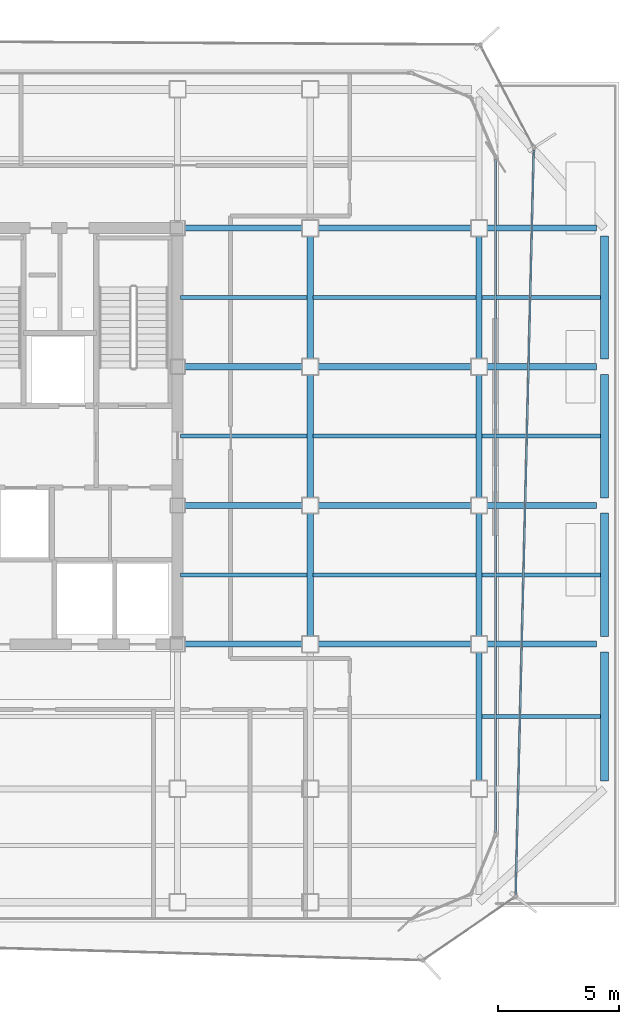
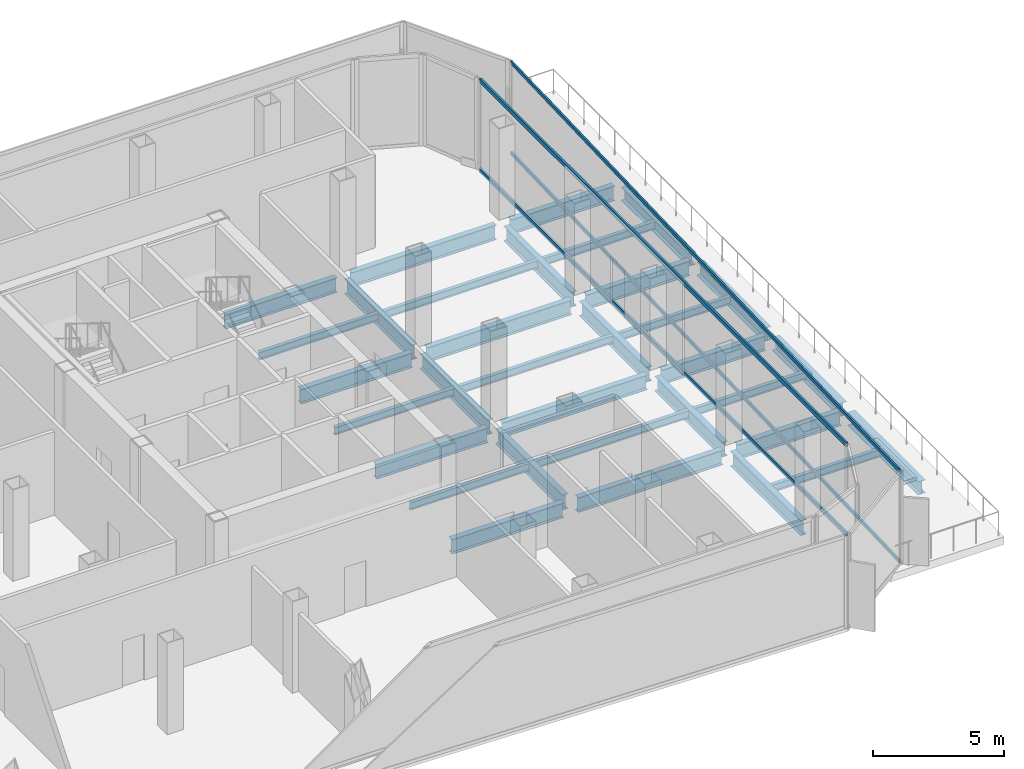
# One storey, part 5 of 14: 33 beams, 4 members, 2 elements without a shape of their own.
"""IFC4 building model written with IfcOpenShell, lengths in metres."""

from ifc_helpers import new_model, si_unit, direction, frame, origin, origin_2d, place, context, subcontext, project, spatial, hollow_rectangle, i_section, extrude, source, transform, mapped, material, layer, layer_set, material_profile, profile_set, type_object, element, aggregate, save


model = new_model("IFC4")

# Units and contexts
model_context = context("Model", 3, precision=1e-05, world=origin(), true_north=direction((0.0, 1.0)))
body_context = subcontext(model_context, "Body", "Model", "MODEL_VIEW")
ifc_project = project(units=[si_unit("LENGTHUNIT", "METRE"), si_unit("AREAUNIT", "SQUARE_METRE"), si_unit("VOLUMEUNIT", "CUBIC_METRE"), si_unit("PLANEANGLEUNIT", "RADIAN"), si_unit("MASSUNIT", "GRAM", prefix="KILO")], contexts=[model_context])

# Site, building, storey
site_placement = place(None, origin())
site = spatial("IfcSite", under=ifc_project, at=site_placement, CompositionType="ELEMENT")
building_placement = place(site_placement, origin())
building = spatial("IfcBuilding", under=site, at=building_placement, Name="Kolveth Station Tower", CompositionType="ELEMENT")
storey_placement = place(building_placement, frame((0.0, 0.0, 151.60009765625)))
storey = spatial("IfcBuildingStorey", under=building, at=storey_placement, Name="L42", CompositionType="ELEMENT", Elevation=151.60009765625)

# Beams
ifc_material_1 = material(Name="Steel S355", Category="steel")
ifc_material_profile_1 = material_profile(ifc_material_1, i_section(OverallWidth=0.323974609375, OverallDepth=0.611083984375, WebThickness=0.0126953125, FlangeThickness=0.01904296875, at=origin_2d()), Name="W610x155")
ifc_profile_set_1 = profile_set([ifc_material_profile_1], Name="Steel S355")
beam_type_1 = type_object("IfcBeamType", Name="Beam_SP2", PredefinedType="SPANDREL", material=ifc_profile_set_1)
shared_shape_1 = source(origin(), body_context, "Body", "SweptSolid", [
    extrude(i_section(OverallWidth=0.323974609375, OverallDepth=0.611083984375, WebThickness=0.0126953125, FlangeThickness=0.01904296875, at=origin_2d()), origin(), (0.0, 0.0, 1.0), 5.35986328125),
])
beam_1_placement = place(storey_placement, frame((46.199951171875, 5.820068359375, -0.66552734375), z_axis=(0.0, 1.0, 0.0), x_axis=(-1.0, 0.0, 0.0)))
element("IfcBeam", 1, at=beam_1_placement, inside=storey, type_object=beam_type_1, Name="L42 Perimeter Spandrel BM-L42-PE-1", PredefinedType="SPANDREL", context=body_context, shape_type="MappedRepresentation", body=[
    mapped(shared_shape_1, transform((0.0, 0.0, 0.0), x_axis=(1.0, 0.0, 0.0), y_axis=(0.0, 1.0, 0.0), z_axis=(0.0, 0.0, 1.0), scale=1.0)),
])
shared_shape_2 = source(origin(), body_context, "Body", "SweptSolid", [
    extrude(i_section(OverallWidth=0.323974609375, OverallDepth=0.611083984375, WebThickness=0.0126953125, FlangeThickness=0.01904296875, at=origin_2d()), origin(), (0.0, 0.0, 1.0), 5.10986328125),
])
for number, where, z_axis, x_axis, name in (
    (2, (46.199951171875, 11.820068359375, -0.66552734375), (0.0, 1.0, 0.0), (-1.0, 0.0, 0.0), "L42 Perimeter Spandrel BM-L42-PE-2"),
    (3, (46.199951171875, 17.570068359375, -0.66552734375), (0.0, 1.0, 0.0), (-1.0, 0.0, 0.0), "L42 Perimeter Spandrel BM-L42-PE-3"),
    (4, (46.199951171875, 23.320068359375, -0.66552734375), (0.0, 1.0, 0.0), (-1.0, 0.0, 0.0), "L42 Perimeter Spandrel BM-L42-PE-4"),
):
    element("IfcBeam", number, at=place(storey_placement, frame(where, z_axis=z_axis, x_axis=x_axis)), inside=storey, type_object=beam_type_1, Name=name, PredefinedType="SPANDREL", context=body_context, shape_type="MappedRepresentation", body=[
        mapped(shared_shape_2, transform((0.0, 0.0, 0.0), x_axis=(1.0, 0.0, 0.0), y_axis=(0.0, 1.0, 0.0), z_axis=(0.0, 0.0, 1.0), scale=1.0)),
    ])
ifc_material_profile_2 = material_profile(ifc_material_1, i_section(OverallWidth=0.25390625, OverallDepth=0.68798828125, WebThickness=0.01318359375, FlangeThickness=0.02099609375, at=origin_2d()), Name="W690x152")
ifc_profile_set_2 = profile_set([ifc_material_profile_2], Name="Steel S355")
beam_type_2 = type_object("IfcBeamType", Name="Beam_B4", PredefinedType="BEAM", material=ifc_profile_set_2)
shared_shape_3 = source(origin(), body_context, "Body", "SweptSolid", [
    extrude(i_section(OverallWidth=0.25390625, OverallDepth=0.68798828125, WebThickness=0.01318359375, FlangeThickness=0.02099609375, at=origin_2d()), origin(), (0.0, 0.0, 1.0), 4.559814453125),
])
for number, where, z_axis, x_axis, name in (
    (5, (41.320068359375, 11.5, -0.7041015625), (1.0, 0.0, 0.0), (0.0, 1.0, 0.0), "L42 Primary Girder BM-L42-GY115-7"),
    (6, (41.320068359375, 17.25, -0.7041015625), (1.0, 0.0, 0.0), (0.0, 1.0, 0.0), "L42 Primary Girder BM-L42-GY172-7"),
    (7, (41.320068359375, 23.0, -0.7041015625), (1.0, 0.0, 0.0), (0.0, 1.0, 0.0), "L42 Primary Girder BM-L42-GY230-7"),
    (8, (41.320068359375, 28.75, -0.7041015625), (1.0, 0.0, 0.0), (0.0, 1.0, 0.0), "L42 Primary Girder BM-L42-GY287-7"),
):
    element("IfcBeam", number, at=place(storey_placement, frame(where, z_axis=z_axis, x_axis=x_axis)), inside=storey, type_object=beam_type_2, Name=name, PredefinedType="BEAM", context=body_context, shape_type="MappedRepresentation", body=[
        mapped(shared_shape_3, transform((0.0, 0.0, 0.0), x_axis=(1.0, 0.0, 0.0), y_axis=(0.0, 1.0, 0.0), z_axis=(0.0, 0.0, 1.0), scale=1.0)),
    ])
shared_shape_4 = source(origin(), body_context, "Body", "SweptSolid", [
    extrude(i_section(OverallWidth=0.25390625, OverallDepth=0.68798828125, WebThickness=0.01318359375, FlangeThickness=0.02099609375, at=origin_2d()), origin(), (0.0, 0.0, 1.0), 6.35986328125),
])
for number, where, z_axis, x_axis, name in (
    (9, (34.320068359375, 11.5, -0.7041015625), (1.0, 0.0, 0.0), (0.0, 1.0, 0.0), "L42 Primary Girder BM-L42-GY115-6"),
    (10, (34.320068359375, 17.25, -0.7041015625), (1.0, 0.0, 0.0), (0.0, 1.0, 0.0), "L42 Primary Girder BM-L42-GY172-6"),
    (11, (34.320068359375, 23.0, -0.7041015625), (1.0, 0.0, 0.0), (0.0, 1.0, 0.0), "L42 Primary Girder BM-L42-GY230-6"),
    (12, (34.320068359375, 28.75, -0.7041015625), (1.0, 0.0, 0.0), (0.0, 1.0, 0.0), "L42 Primary Girder BM-L42-GY287-6"),
):
    element("IfcBeam", number, at=place(storey_placement, frame(where, z_axis=z_axis, x_axis=x_axis)), inside=storey, type_object=beam_type_2, Name=name, PredefinedType="BEAM", context=body_context, shape_type="MappedRepresentation", body=[
        mapped(shared_shape_4, transform((0.0, 0.0, 0.0), x_axis=(1.0, 0.0, 0.0), y_axis=(0.0, 1.0, 0.0), z_axis=(0.0, 0.0, 1.0), scale=1.0)),
    ])
shared_shape_5 = source(origin(), body_context, "Body", "SweptSolid", [
    extrude(i_section(OverallWidth=0.25390625, OverallDepth=0.68798828125, WebThickness=0.01318359375, FlangeThickness=0.02099609375, at=origin_2d()), origin(), (0.0, 0.0, 1.0), 4.89990234375),
])
for number, where, z_axis, x_axis, name in (
    (13, (28.780029296875, 11.5, -0.7041015625), (1.0, 0.0, 0.0), (0.0, 1.0, 0.0), "L42 Primary Girder BM-L42-GY115-5"),
    (14, (28.780029296875, 17.25, -0.7041015625), (1.0, 0.0, 0.0), (0.0, 1.0, 0.0), "L42 Primary Girder BM-L42-GY172-5"),
    (15, (28.780029296875, 23.0, -0.7041015625), (1.0, 0.0, 0.0), (0.0, 1.0, 0.0), "L42 Primary Girder BM-L42-GY230-5"),
    (16, (28.780029296875, 28.75, -0.7041015625), (1.0, 0.0, 0.0), (0.0, 1.0, 0.0), "L42 Primary Girder BM-L42-GY287-5"),
):
    element("IfcBeam", number, at=place(storey_placement, frame(where, z_axis=z_axis, x_axis=x_axis)), inside=storey, type_object=beam_type_2, Name=name, PredefinedType="BEAM", context=body_context, shape_type="MappedRepresentation", body=[
        mapped(shared_shape_5, transform((0.0, 0.0, 0.0), x_axis=(1.0, 0.0, 0.0), y_axis=(0.0, 1.0, 0.0), z_axis=(0.0, 0.0, 1.0), scale=1.0)),
    ])
shared_shape_6 = source(origin(), body_context, "Body", "SweptSolid", [
    extrude(i_section(OverallWidth=0.25390625, OverallDepth=0.68798828125, WebThickness=0.01318359375, FlangeThickness=0.02099609375, at=origin_2d()), origin(), (0.0, 0.0, 1.0), 5.35986328125),
])
beam_2_placement = place(storey_placement, frame((41.0, 5.820068359375, -0.7041015625), z_axis=(0.0, 1.0, 0.0), x_axis=(-1.0, 0.0, 0.0)))
element("IfcBeam", 17, at=beam_2_placement, inside=storey, type_object=beam_type_2, Name="L42 Primary Girder BM-L42-GX410-2", PredefinedType="BEAM", context=body_context, shape_type="MappedRepresentation", body=[
    mapped(shared_shape_6, transform((0.0, 0.0, 0.0), x_axis=(1.0, 0.0, 0.0), y_axis=(0.0, 1.0, 0.0), z_axis=(0.0, 0.0, 1.0), scale=1.0)),
])
shared_shape_7 = source(origin(), body_context, "Body", "SweptSolid", [
    extrude(i_section(OverallWidth=0.25390625, OverallDepth=0.68798828125, WebThickness=0.01318359375, FlangeThickness=0.02099609375, at=origin_2d()), origin(), (0.0, 0.0, 1.0), 5.10986328125),
])
for number, where, z_axis, x_axis, name in (
    (18, (34.0, 11.820068359375, -0.7041015625), (0.0, 1.0, 0.0), (-1.0, 0.0, 0.0), "L42 Primary Girder BM-L42-GX340-3"),
    (19, (34.0, 17.570068359375, -0.7041015625), (0.0, 1.0, 0.0), (-1.0, 0.0, 0.0), "L42 Primary Girder BM-L42-GX340-4"),
    (20, (34.0, 23.320068359375, -0.7041015625), (0.0, 1.0, 0.0), (-1.0, 0.0, 0.0), "L42 Primary Girder BM-L42-GX340-5"),
    (21, (41.0, 11.820068359375, -0.7041015625), (0.0, 1.0, 0.0), (-1.0, 0.0, 0.0), "L42 Primary Girder BM-L42-GX410-3"),
    (22, (41.0, 17.570068359375, -0.7041015625), (0.0, 1.0, 0.0), (-1.0, 0.0, 0.0), "L42 Primary Girder BM-L42-GX410-4"),
    (23, (41.0, 23.320068359375, -0.7041015625), (0.0, 1.0, 0.0), (-1.0, 0.0, 0.0), "L42 Primary Girder BM-L42-GX410-5"),
):
    element("IfcBeam", number, at=place(storey_placement, frame(where, z_axis=z_axis, x_axis=x_axis)), inside=storey, type_object=beam_type_2, Name=name, PredefinedType="BEAM", context=body_context, shape_type="MappedRepresentation", body=[
        mapped(shared_shape_7, transform((0.0, 0.0, 0.0), x_axis=(1.0, 0.0, 0.0), y_axis=(0.0, 1.0, 0.0), z_axis=(0.0, 0.0, 1.0), scale=1.0)),
    ])
ifc_material_profile_3 = material_profile(ifc_material_1, i_section(OverallWidth=0.1708984375, OverallDepth=0.35205078125, WebThickness=0.0068359375, FlangeThickness=0.009765625, at=origin_2d()), Name="W360x44")
ifc_profile_set_3 = profile_set([ifc_material_profile_3], Name="Steel S355")
beam_type_3 = type_object("IfcBeamType", Name="Beam_J2", PredefinedType="JOIST", material=ifc_profile_set_3)
shared_shape_8 = source(origin(), body_context, "Body", "SweptSolid", [
    extrude(i_section(OverallWidth=0.1708984375, OverallDepth=0.35205078125, WebThickness=0.0068359375, FlangeThickness=0.009765625, at=origin_2d()), origin(), (0.0, 0.0, 1.0), 4.9150390625),
])
for number, where, z_axis, x_axis, name in (
    (24, (41.125, 8.5, -0.5361328125), (1.0, 0.0, 0.0), (0.0, 1.0, 0.0), "L42 Secondary Joist JST-L42-7-2"),
    (25, (41.125, 14.375, -0.5361328125), (1.0, 0.0, 0.0), (0.0, 1.0, 0.0), "L42 Secondary Joist JST-L42-7-3"),
    (26, (41.125, 20.125, -0.5361328125), (1.0, 0.0, 0.0), (0.0, 1.0, 0.0), "L42 Secondary Joist JST-L42-7-4"),
    (27, (41.125, 25.875, -0.5361328125), (1.0, 0.0, 0.0), (0.0, 1.0, 0.0), "L42 Secondary Joist JST-L42-7-5"),
):
    element("IfcBeam", number, at=place(storey_placement, frame(where, z_axis=z_axis, x_axis=x_axis)), inside=storey, type_object=beam_type_3, Name=name, PredefinedType="JOIST", context=body_context, shape_type="MappedRepresentation", body=[
        mapped(shared_shape_8, transform((0.0, 0.0, 0.0), x_axis=(1.0, 0.0, 0.0), y_axis=(0.0, 1.0, 0.0), z_axis=(0.0, 0.0, 1.0), scale=1.0)),
    ])
shared_shape_9 = source(origin(), body_context, "Body", "SweptSolid", [
    extrude(i_section(OverallWidth=0.1708984375, OverallDepth=0.35205078125, WebThickness=0.0068359375, FlangeThickness=0.009765625, at=origin_2d()), origin(), (0.0, 0.0, 1.0), 6.75),
])
for number, where, z_axis, x_axis, name in (
    (28, (34.125, 14.375, -0.5361328125), (1.0, 0.0, 0.0), (0.0, 1.0, 0.0), "L42 Secondary Joist JST-L42-6-3"),
    (29, (34.125, 20.125, -0.5361328125), (1.0, 0.0, 0.0), (0.0, 1.0, 0.0), "L42 Secondary Joist JST-L42-6-4"),
    (30, (34.125, 25.875, -0.5361328125), (1.0, 0.0, 0.0), (0.0, 1.0, 0.0), "L42 Secondary Joist JST-L42-6-5"),
):
    element("IfcBeam", number, at=place(storey_placement, frame(where, z_axis=z_axis, x_axis=x_axis)), inside=storey, type_object=beam_type_3, Name=name, PredefinedType="JOIST", context=body_context, shape_type="MappedRepresentation", body=[
        mapped(shared_shape_9, transform((0.0, 0.0, 0.0), x_axis=(1.0, 0.0, 0.0), y_axis=(0.0, 1.0, 0.0), z_axis=(0.0, 0.0, 1.0), scale=1.0)),
    ])
shared_shape_10 = source(origin(), body_context, "Body", "SweptSolid", [
    extrude(i_section(OverallWidth=0.1708984375, OverallDepth=0.35205078125, WebThickness=0.0068359375, FlangeThickness=0.009765625, at=origin_2d()), origin(), (0.0, 0.0, 1.0), 5.25),
])
for number, where, z_axis, x_axis, name in (
    (31, (28.625, 14.375, -0.5361328125), (1.0, 0.0, 0.0), (0.0, 1.0, 0.0), "L42 Secondary Joist JST-L42-5-3"),
    (32, (28.625, 20.125, -0.5361328125), (1.0, 0.0, 0.0), (0.0, 1.0, 0.0), "L42 Secondary Joist JST-L42-5-4"),
    (33, (28.625, 25.875, -0.5361328125), (1.0, 0.0, 0.0), (0.0, 1.0, 0.0), "L42 Secondary Joist JST-L42-5-5"),
):
    element("IfcBeam", number, at=place(storey_placement, frame(where, z_axis=z_axis, x_axis=x_axis)), inside=storey, type_object=beam_type_3, Name=name, PredefinedType="JOIST", context=body_context, shape_type="MappedRepresentation", body=[
        mapped(shared_shape_10, transform((0.0, 0.0, 0.0), x_axis=(1.0, 0.0, 0.0), y_axis=(0.0, 1.0, 0.0), z_axis=(0.0, 0.0, 1.0), scale=1.0)),
    ])

# Curtain wall, members
ifc_material_2 = material(Name="Aluminium 6063-T6 and acoustic laminated dark glass", Category="aluminium")
ifc_layer_1 = layer(ifc_material_2, 0.219970703125)
ifc_layer_set_1 = layer_set([ifc_layer_1], Name="Aluminium 6063-T6 and acoustic laminated dark glass")
curtain_wall_type_1 = type_object("IfcCurtainWallType", Name="CurtainWall_CW-SL", PredefinedType="NOTDEFINED", material=ifc_layer_set_1)
curtain_wall_1_placement = place(storey_placement, origin())
curtain_wall_1 = element("IfcCurtainWall", 34, at=curtain_wall_1_placement, inside=storey, type_object=curtain_wall_type_1, Name="L42 Inner Thermal Curtain Wall 3", PredefinedType="NOTDEFINED")
ifc_material_3 = material(Name="Black anodized aluminium 6063-T6", Category="aluminium")
ifc_material_profile_4 = material_profile(ifc_material_3, hollow_rectangle(XDim=0.090087890625, YDim=0.199951171875, WallThickness=0.0048828125, at=origin_2d()), Name="ALU-90x200x5")
ifc_profile_set_4 = profile_set([ifc_material_profile_4], Name="Black anodized aluminium 6063-T6")
member_type_1 = type_object("IfcMemberType", Name="Transom_TR-SL", PredefinedType="USERDEFINED", material=ifc_profile_set_4)
shared_shape_11 = source(origin(), body_context, "Body", "SweptSolid", [
    extrude(hollow_rectangle(XDim=0.090087890625, YDim=0.199951171875, WallThickness=0.0048828125, at=origin_2d()), origin(), (0.0, 0.0, 1.0), 27.909912109375),
])
member_1_placement = place(storey_placement, frame((41.679931640625, 3.695068359375, 0.044921875), z_axis=(0.0, 1.0, 0.0), x_axis=(-1.0, 0.0, 0.0)))
member_1 = element("IfcMember", 35, at=member_1_placement, type_object=member_type_1, Name="CW-SL transom 1.1", ObjectType="TRANSOM", PredefinedType="USERDEFINED", context=body_context, shape_type="MappedRepresentation", body=[
    mapped(shared_shape_11, transform((0.0, 0.0, 0.0), x_axis=(1.0, 0.0, 0.0), y_axis=(0.0, 1.0, 0.0), z_axis=(0.0, 0.0, 1.0), scale=1.0)),
])
member_2_placement = place(storey_placement, frame((41.679931640625, 3.695068359375, 4.204833984375), z_axis=(0.0, 1.0, 0.0), x_axis=(-1.0, 0.0, 0.0)))
member_2 = element("IfcMember", 36, at=member_2_placement, type_object=member_type_1, Name="CW-SL transom 1.2", ObjectType="TRANSOM", PredefinedType="USERDEFINED", context=body_context, shape_type="MappedRepresentation", body=[
    mapped(shared_shape_11, transform((0.0, 0.0, 0.0), x_axis=(1.0, 0.0, 0.0), y_axis=(0.0, 1.0, 0.0), z_axis=(0.0, 0.0, 1.0), scale=1.0)),
])
aggregate(curtain_wall_1, [member_1, member_2])

ifc_material_4 = material(Name="Black anodized aluminium 6063-T6 and dark solar glass", Category="aluminium")
ifc_layer_2 = layer(ifc_material_4, 0.159912109375)
ifc_layer_set_2 = layer_set([ifc_layer_2], Name="Black anodized aluminium 6063-T6 and dark solar glass")
curtain_wall_type_2 = type_object("IfcCurtainWallType", Name="OUTER SKIN CW-OS", PredefinedType="NOTDEFINED", material=ifc_layer_set_2)
curtain_wall_2_placement = place(storey_placement, origin())
curtain_wall_2 = element("IfcCurtainWall", 37, at=curtain_wall_2_placement, inside=storey, type_object=curtain_wall_type_2, Name="L42 Outer Ventilated Skin Curtain Wall 2", PredefinedType="NOTDEFINED")
ifc_material_profile_5 = material_profile(ifc_material_3, hollow_rectangle(XDim=0.080078125, YDim=0.14990234375, WallThickness=0.0048828125, at=origin_2d()), Name="ALU-80x150x5")
ifc_profile_set_5 = profile_set([ifc_material_profile_5], Name="Black anodized aluminium 6063-T6")
member_type_2 = type_object("IfcMemberType", Name="Transom_TR-OS", PredefinedType="USERDEFINED", material=ifc_profile_set_5)
shared_shape_12 = source(origin(), body_context, "Body", "SweptSolid", [
    extrude(hollow_rectangle(XDim=0.080078125, YDim=0.14990234375, WallThickness=0.0048828125, at=origin_2d()), origin(), (0.0, 0.0, 1.0), 30.879638671875),
])
member_3_placement = place(storey_placement, frame((42.521484375, 1.1279296875, 0.039794921875), z_axis=(0.024327296666, 0.999704047525, 0.0), x_axis=(-0.999704047525, 0.024327296666, 0.0)))
member_3 = element("IfcMember", 38, at=member_3_placement, type_object=member_type_2, Name="CW-OS transom 1.1", ObjectType="TRANSOM", PredefinedType="USERDEFINED", context=body_context, shape_type="MappedRepresentation", body=[
    mapped(shared_shape_12, transform((0.0, 0.0, 0.0), x_axis=(1.0, 0.0, 0.0), y_axis=(0.0, 1.0, 0.0), z_axis=(0.0, 0.0, 1.0), scale=1.0)),
])
member_4_placement = place(storey_placement, frame((42.521484375, 1.1279296875, 4.25), z_axis=(0.024327296666, 0.999704047525, 0.0), x_axis=(-0.999704047525, 0.024327296666, 0.0)))
member_4 = element("IfcMember", 39, at=member_4_placement, type_object=member_type_2, Name="CW-OS transom 1.2", ObjectType="TRANSOM", PredefinedType="USERDEFINED", context=body_context, shape_type="MappedRepresentation", body=[
    mapped(shared_shape_12, transform((0.0, 0.0, 0.0), x_axis=(1.0, 0.0, 0.0), y_axis=(0.0, 1.0, 0.0), z_axis=(0.0, 0.0, 1.0), scale=1.0)),
])
aggregate(curtain_wall_2, [member_3, member_4])

save(model, "model.ifc")
